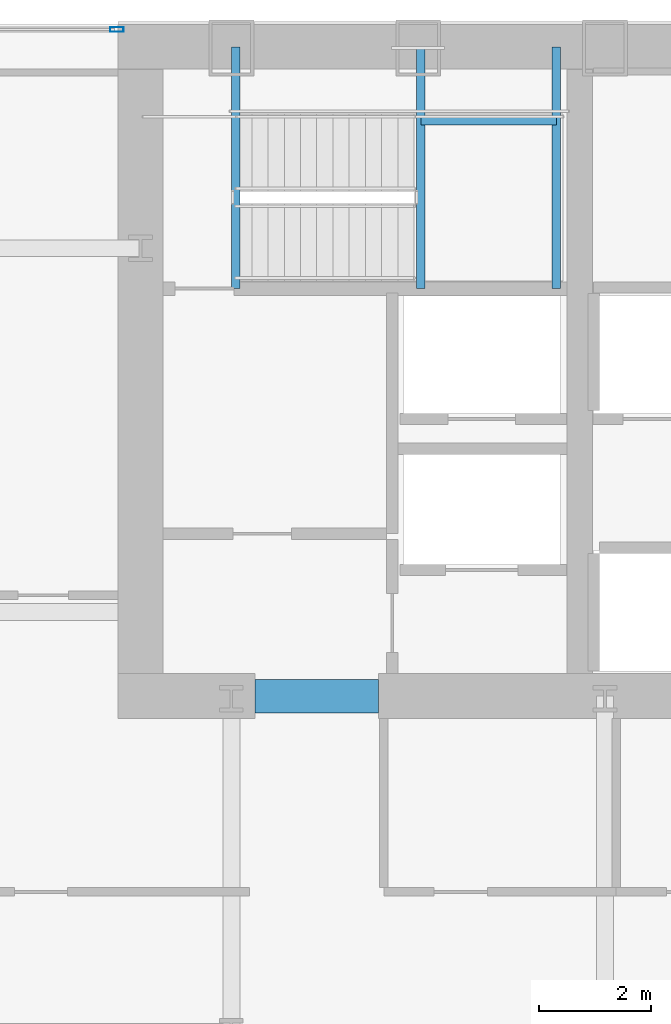
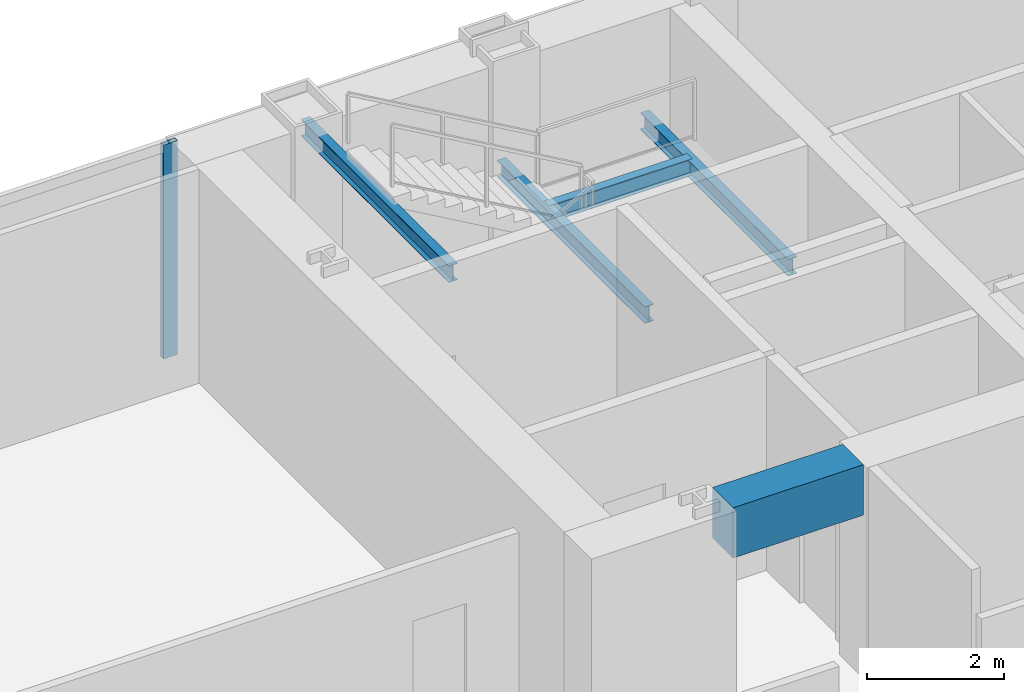
# One storey, part 18 of 37: 5 beams, 1 member, 1 element without a shape of its own.
"""IFC4 building model written with IfcOpenShell, lengths in metres."""

from ifc_helpers import new_model, si_unit, direction, frame, origin, origin_2d, place, context, subcontext, project, spatial, rectangle, hollow_rectangle, i_section, extrude, material, material_profile, profile_set, type_object, element, aggregate, save


model = new_model("IFC4")

# Units and contexts
model_context = context("Model", 3, precision=1e-05, world=origin(), true_north=direction((0.0, 1.0)))
body_context = subcontext(model_context, "Body", "Model", "MODEL_VIEW")
ifc_project = project(units=[si_unit("LENGTHUNIT", "METRE"), si_unit("AREAUNIT", "SQUARE_METRE"), si_unit("VOLUMEUNIT", "CUBIC_METRE"), si_unit("PLANEANGLEUNIT", "RADIAN"), si_unit("MASSUNIT", "GRAM", prefix="KILO")], contexts=[model_context])

# Site, building, storey
site_placement = place(None, origin())
site = spatial("IfcSite", under=ifc_project, at=site_placement, CompositionType="ELEMENT")
building_placement = place(site_placement, origin())
building = spatial("IfcBuilding", under=site, at=building_placement, Name="Khoronbel Lancet Exchange", CompositionType="ELEMENT")
storey_placement = place(building_placement, frame((0.0, 0.0, 45.800048828125)))
storey = spatial("IfcBuildingStorey", under=building, at=storey_placement, Name="L10", CompositionType="ELEMENT", Elevation=45.800048828125)

# Beams
ifc_material_1 = material(Name="Steel S355", Category="steel")
ifc_material_profile_1 = material_profile(ifc_material_1, i_section(OverallWidth=0.14990234375, OverallDepth=0.300048828125, WebThickness=0.007080078125, FlangeThickness=0.0107421875, at=origin_2d()), Name="IPE 300")
ifc_profile_set_1 = profile_set([ifc_material_profile_1], Name="Steel S355")
beam_type_1 = type_object("IfcBeamType", Name="BM-BJ8", PredefinedType="JOIST", material=ifc_profile_set_1)
for number, where, z_axis, x_axis, name in (
    (1, (21.610107421875, 48.97998046875, 1.64990234375), (0.0, 1.0, 0.0), (-1.0, 0.0, 0.0), "Level L10 stair ST1 landing bearer beam 1"),
    (2, (24.030029296875, 48.97998046875, 1.64990234375), (0.0, 1.0, 0.0), (-1.0, 0.0, 0.0), "Level L10 stair ST1 rear landing bearer beam 1"),
):
    element("IfcBeam", number, at=place(storey_placement, frame(where, z_axis=z_axis, x_axis=x_axis)), inside=storey, type_object=beam_type_1, Name=name, PredefinedType="JOIST", context=body_context, shape_type="SweptSolid", body=[
        extrude(i_section(OverallWidth=0.14990234375, OverallDepth=0.300048828125, WebThickness=0.007080078125, FlangeThickness=0.0107421875, at=origin_2d()), origin(), (0.0, 0.0, 1.0), 4.320068359375),
    ])
beam_1_placement = place(storey_placement, frame((21.610107421875, 51.97998046875, 1.64990234375), z_axis=(1.0, 0.0, 0.0), x_axis=(0.0, 1.0, 0.0)))
element("IfcBeam", 3, at=beam_1_placement, inside=storey, type_object=beam_type_1, Name="Level L10 stair ST1 landing cross trimmer beam 1", PredefinedType="JOIST", context=body_context, shape_type="SweptSolid", body=[
    extrude(i_section(OverallWidth=0.14990234375, OverallDepth=0.300048828125, WebThickness=0.007080078125, FlangeThickness=0.0107421875, at=origin_2d()), origin(), (0.0, 0.0, 1.0), 2.419921875),
])
beam_2_placement = place(storey_placement, frame((18.300048828125, 48.97998046875, 3.5400390625), z_axis=(0.0, 1.0, 0.0), x_axis=(-1.0, 0.0, 0.0)))
element("IfcBeam", 4, at=beam_2_placement, inside=storey, type_object=beam_type_1, Name="Level L10 stair ST1 upper-flight arrival trimmer beam", PredefinedType="JOIST", context=body_context, shape_type="SweptSolid", body=[
    extrude(i_section(OverallWidth=0.14990234375, OverallDepth=0.300048828125, WebThickness=0.007080078125, FlangeThickness=0.0107421875, at=origin_2d()), origin(), (0.0, 0.0, 1.0), 4.320068359375),
])
ifc_material_2 = material(Name="Concrete C80/95", Category="concrete")
ifc_material_profile_2 = material_profile(ifc_material_2, rectangle(XDim=0.60009765625, YDim=0.89990234375, at=origin_2d()), Name="RC 600x900")
ifc_profile_set_2 = profile_set([ifc_material_profile_2], Name="Concrete C80/95")
beam_type_2 = type_object("IfcBeamType", Name="BM-BL1", PredefinedType="LINTEL", material=ifc_profile_set_2)
beam_3_placement = place(storey_placement, frame((18.64990234375, 41.699951171875, 3.369873046875), z_axis=(1.0, 0.0, 0.0), x_axis=(0.0, 1.0, 0.0)))
element("IfcBeam", 5, at=beam_3_placement, inside=storey, type_object=beam_type_2, Name="Level L10 rear core coupling lintel L1", PredefinedType="LINTEL", context=body_context, shape_type="SweptSolid", body=[
    extrude(rectangle(XDim=0.60009765625, YDim=0.89990234375, at=origin_2d()), origin(), (0.0, 0.0, 1.0), 2.2001953125),
])

# Curtain wall, member
ifc_material_3 = material(Name="Low-E Solar Control Insulating Glass", Category="glass")
curtain_wall_type = type_object("IfcCurtainWallType", Name="CW-1", PredefinedType="NOTDEFINED", material=ifc_material_3)
curtain_wall_placement = place(storey_placement, origin())
curtain_wall = element("IfcCurtainWall", 6, at=curtain_wall_placement, inside=storey, type_object=curtain_wall_type, Name="Unitised curtain wall CW-L10-NWFLK", PredefinedType="NOTDEFINED")
ifc_material_4 = material(Name="Bronze-Anodised Aluminium 6063-T6", Category="aluminium")
ifc_material_profile_3 = material_profile(ifc_material_4, hollow_rectangle(XDim=0.0849609375, YDim=0.239990234375, WallThickness=0.006103515625, at=origin_2d()), Name="ALU MULLION 85x240")
ifc_profile_set_3 = profile_set([ifc_material_profile_3], Name="Bronze-Anodised Aluminium 6063-T6")
member_type = type_object("IfcMemberType", Name="MEM-CWM1", PredefinedType="MULLION", material=ifc_profile_set_3)
member_placement = place(storey_placement, frame((16.177490234375, 53.610107421875, 0.0), z_axis=(0.0, 0.0, 1.0), x_axis=(0.0, -1.0, 0.0)))
member = element("IfcMember", 7, at=member_placement, type_object=member_type, Name="CW1 mullion 1", PredefinedType="MULLION", context=body_context, shape_type="SweptSolid", body=[
    extrude(hollow_rectangle(XDim=0.0849609375, YDim=0.239990234375, WallThickness=0.006103515625, at=origin_2d()), origin(), (0.0, 0.0, 1.0), 3.820068359375),
])
aggregate(curtain_wall, [member])

save(model, "model.ifc")
